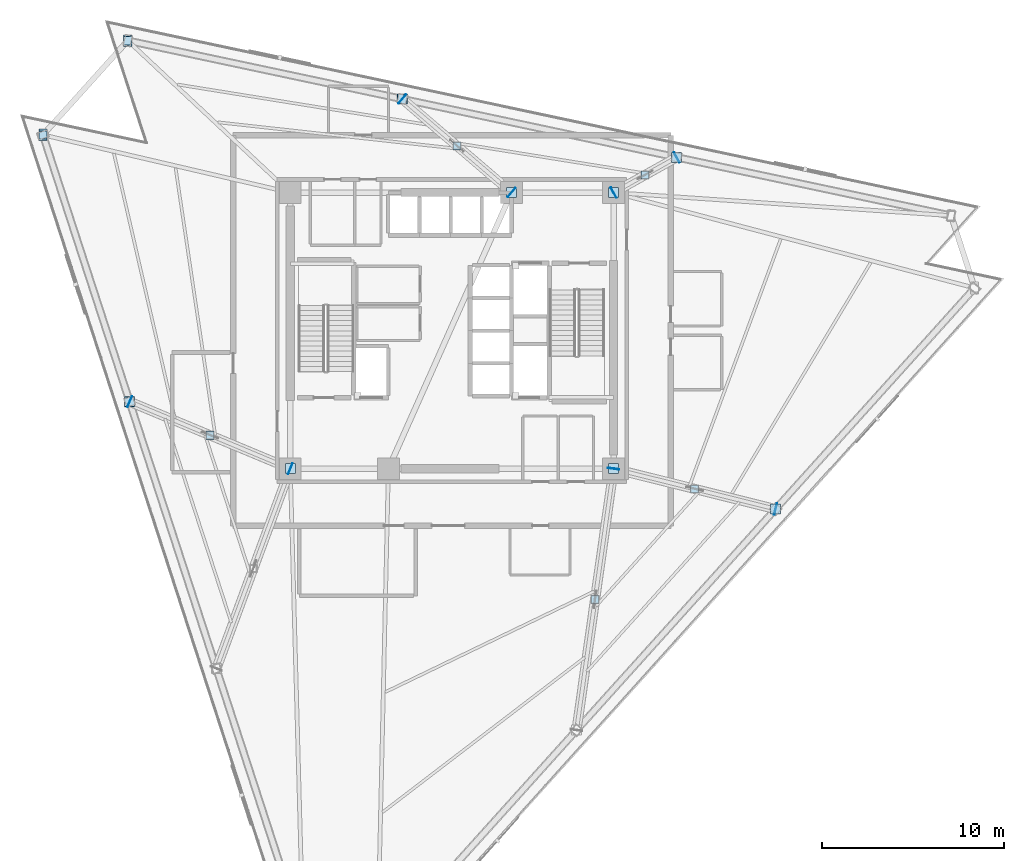
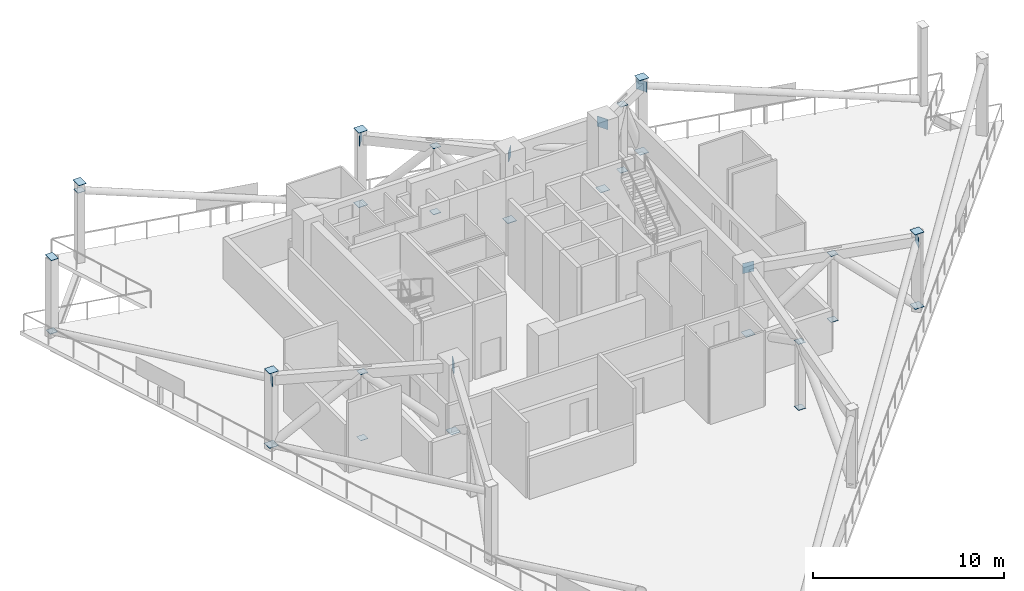
# One storey, part 6 of 15: 34 plates.
"""IFC4 building model written with IfcOpenShell, lengths in metres."""

from ifc_helpers import new_model, si_unit, direction, frame, origin, origin_2d, place, context, subcontext, project, spatial, rectangle, extrude, material, layer, layer_set, type_object, element, save


model = new_model("IFC4")

# Units and contexts
model_context = context("Model", 3, precision=1e-05, world=origin(), true_north=direction((0.0, 1.0)))
body_context = subcontext(model_context, "Body", "Model", "MODEL_VIEW")
ifc_project = project(units=[si_unit("LENGTHUNIT", "METRE"), si_unit("AREAUNIT", "SQUARE_METRE"), si_unit("VOLUMEUNIT", "CUBIC_METRE"), si_unit("PLANEANGLEUNIT", "RADIAN"), si_unit("MASSUNIT", "GRAM", prefix="KILO")], contexts=[model_context])

# Site, building, storey
site_placement = place(None, origin())
site = spatial("IfcSite", under=ifc_project, at=site_placement, CompositionType="ELEMENT")
building_placement = place(site_placement, origin())
building = spatial("IfcBuilding", under=site, at=building_placement, Name="Tharavind Bronze Gate", CompositionType="ELEMENT")
storey_placement = place(building_placement, frame((0.0, 0.0, 222.050048828125)))
storey = spatial("IfcBuildingStorey", under=building, at=storey_placement, Name="L57", CompositionType="ELEMENT", Elevation=222.050048828125)

# Plates
ifc_material_1 = material(Name="Steel S460", Category="steel")
ifc_layer_1 = layer(ifc_material_1, 0.02490234375)
ifc_layer_set_1 = layer_set([ifc_layer_1], Name="Steel S460")
plate_type_1 = type_object("IfcPlateType", Name="STEEL END CAP SHEET 25", PredefinedType="SHEET", material=ifc_layer_set_1)
plate_1_placement = place(storey_placement, frame((-22.515380859375, 10.77685546875, 4.987548828125), z_axis=(0.0, 0.0, 1.0), x_axis=(1.0, 0.0, 0.0)))
element("IfcPlate", 1, at=plate_1_placement, inside=storey, type_object=plate_type_1, Name="Steel end cap plate CAP-COLT-L57-S1C1", PredefinedType="SHEET", context=body_context, shape_type="SweptSolid", body=[
    extrude(rectangle(XDim=0.445068359375, YDim=0.64501953125, at=origin_2d()), origin(), (0.0, 0.0, 1.0), 0.02490234375),
])
for number, where, z_axis, x_axis, name in (
    (2, (-17.74267578125, -3.91259765625, 4.987548828125), (0.0, 0.0, 1.0), (1.0, 0.0, 0.0), "Steel end cap plate CAP-COLT-L57-S1C2"),
    (3, (17.815185546875, -9.82275390625, 4.987548828125), (0.0, 0.0, 1.0), (1.0, 0.0, 0.0), "Steel end cap plate CAP-COLT-L57-S2C3"),
    (4, (12.370849609375, 9.54150390625, 4.987548828125), (0.0, 0.0, 1.0), (1.0, 0.0, 0.0), "Steel end cap plate CAP-COLT-L57-S3C2"),
    (5, (-2.737060546875, 12.752685546875, 4.987548828125), (0.0, 0.0, 1.0), (1.0, 0.0, 0.0), "Steel end cap plate CAP-COLT-L57-S3C3"),
):
    element("IfcPlate", number, at=place(storey_placement, frame(where, z_axis=z_axis, x_axis=x_axis)), inside=storey, type_object=plate_type_1, Name=name, PredefinedType="SHEET", context=body_context, shape_type="SweptSolid", body=[
        extrude(rectangle(XDim=0.544921875, YDim=0.544921875, at=origin_2d()), origin(), (0.0, 0.0, 1.0), 0.02490234375),
    ])
plate_2_placement = place(storey_placement, frame((-17.844970703125, 15.9638671875, 4.987548828125), z_axis=(0.0, 0.0, 1.0), x_axis=(1.0, 0.0, 0.0)))
element("IfcPlate", 6, at=plate_2_placement, inside=storey, type_object=plate_type_1, Name="Steel end cap plate CAP-COLT-L57-S3C4", PredefinedType="SHEET", context=body_context, shape_type="SweptSolid", body=[
    extrude(rectangle(XDim=0.445068359375, YDim=0.64501953125, at=origin_2d()), origin(), (0.0, 0.0, 1.0), 0.02490234375),
])
for number, where, z_axis, x_axis, name in (
    (7, (-8.89990234375, -7.60009765625, 4.137451171875), (0.0, 0.0, 1.0), (-0.922966559807, 0.384880149499, 0.0), "Steel end cap plate CAP-L57-OCH1A"),
    (8, (-17.74267578125, -3.91259765625, 4.137451171875), (0.0, 0.0, 1.0), (-0.922966559807, 0.384880149499, 0.0), "Steel end cap plate CAP-L57-OCH1B"),
):
    element("IfcPlate", number, at=place(storey_placement, frame(where, z_axis=z_axis, x_axis=x_axis)), inside=storey, type_object=plate_type_1, Name=name, PredefinedType="SHEET", context=body_context, shape_type="SweptSolid", body=[
        extrude(rectangle(XDim=0.0400390625, YDim=0.64501953125, at=origin_2d()), origin(), (0.0, 0.0, 1.0), 0.64501953125),
    ])
for number, where, z_axis, x_axis, name in (
    (9, (-8.89990234375, -7.60009765625, 0.237548828125), (0.0, 0.0, 1.0), (1.0, 0.0, 0.0), "Steel end cap plate CAP-L57-OBR1-1A"),
    (10, (-17.74267578125, -3.91259765625, 0.237548828125), (0.0, 0.0, 1.0), (1.0, 0.0, 0.0), "Steel end cap plate CAP-L57-OBR1-2B"),
):
    element("IfcPlate", number, at=place(storey_placement, frame(where, z_axis=z_axis, x_axis=x_axis)), inside=storey, type_object=plate_type_1, Name=name, PredefinedType="SHEET", context=body_context, shape_type="SweptSolid", body=[
        extrude(rectangle(XDim=0.552978515625, YDim=0.552978515625, at=origin_2d()), origin(), (0.0, 0.0, 1.0), 0.02490234375),
    ])
plate_3_placement = place(storey_placement, frame((8.89990234375, -7.60009765625, 4.137451171875), z_axis=(0.0, 0.0, 1.0), x_axis=(0.140519351753, 0.990077932176, 0.0)))
element("IfcPlate", 11, at=plate_3_placement, inside=storey, type_object=plate_type_1, Name="Steel end cap plate CAP-L57-OCH3A", PredefinedType="SHEET", context=body_context, shape_type="SweptSolid", body=[
    extrude(rectangle(XDim=0.0400390625, YDim=0.64501953125, at=origin_2d()), origin(), (0.0, 0.0, 1.0), 0.64501953125),
])
plate_4_placement = place(storey_placement, frame((8.89990234375, -7.60009765625, 0.237548828125), z_axis=(0.0, 0.0, 1.0), x_axis=(1.0, 0.0, 0.0)))
element("IfcPlate", 12, at=plate_4_placement, inside=storey, type_object=plate_type_1, Name="Steel end cap plate CAP-L57-OBR3-1A", PredefinedType="SHEET", context=body_context, shape_type="SweptSolid", body=[
    extrude(rectangle(XDim=0.552978515625, YDim=0.552978515625, at=origin_2d()), origin(), (0.0, 0.0, 1.0), 0.02490234375),
])
plate_5_placement = place(storey_placement, frame((17.815185546875, -9.82275390625, 4.137451171875), z_axis=(0.0, 0.0, 1.0), x_axis=(-0.970297837406, 0.241913428163, 0.0)))
element("IfcPlate", 13, at=plate_5_placement, inside=storey, type_object=plate_type_1, Name="Steel end cap plate CAP-L57-OCH4B", PredefinedType="SHEET", context=body_context, shape_type="SweptSolid", body=[
    extrude(rectangle(XDim=0.0400390625, YDim=0.64501953125, at=origin_2d()), origin(), (0.0, 0.0, 1.0), 0.64501953125),
])
plate_6_placement = place(storey_placement, frame((17.815185546875, -9.82275390625, 0.237548828125), z_axis=(0.0, 0.0, 1.0), x_axis=(1.0, 0.0, 0.0)))
element("IfcPlate", 14, at=plate_6_placement, inside=storey, type_object=plate_type_1, Name="Steel end cap plate CAP-L57-OBR4-2B", PredefinedType="SHEET", context=body_context, shape_type="SweptSolid", body=[
    extrude(rectangle(XDim=0.552978515625, YDim=0.552978515625, at=origin_2d()), origin(), (0.0, 0.0, 1.0), 0.02490234375),
])
for number, where, z_axis, x_axis, name in (
    (15, (8.89990234375, 7.60009765625, 4.137451171875), (0.0, 0.0, 1.0), (0.872746616852, 0.488173476106, 0.0), "Steel end cap plate CAP-L57-OCH5A"),
    (16, (12.370849609375, 9.54150390625, 4.137451171875), (0.0, 0.0, 1.0), (0.872746616852, 0.488173476106, 0.0), "Steel end cap plate CAP-L57-OCH5B"),
):
    element("IfcPlate", number, at=place(storey_placement, frame(where, z_axis=z_axis, x_axis=x_axis)), inside=storey, type_object=plate_type_1, Name=name, PredefinedType="SHEET", context=body_context, shape_type="SweptSolid", body=[
        extrude(rectangle(XDim=0.0400390625, YDim=0.64501953125, at=origin_2d()), origin(), (0.0, 0.0, 1.0), 0.64501953125),
    ])
for number, where, z_axis, x_axis, name in (
    (17, (8.89990234375, 7.60009765625, 0.237548828125), (0.0, 0.0, 1.0), (1.0, 0.0, 0.0), "Steel end cap plate CAP-L57-OBR5-1A"),
    (18, (12.370849609375, 9.54150390625, 0.237548828125), (0.0, 0.0, 1.0), (1.0, 0.0, 0.0), "Steel end cap plate CAP-L57-OBR5-2B"),
):
    element("IfcPlate", number, at=place(storey_placement, frame(where, z_axis=z_axis, x_axis=x_axis)), inside=storey, type_object=plate_type_1, Name=name, PredefinedType="SHEET", context=body_context, shape_type="SweptSolid", body=[
        extrude(rectangle(XDim=0.552978515625, YDim=0.552978515625, at=origin_2d()), origin(), (0.0, 0.0, 1.0), 0.02490234375),
    ])
for number, where, z_axis, x_axis, name in (
    (19, (3.280029296875, 7.60009765625, 4.137451171875), (0.0, 0.0, 1.0), (-0.75956313547, 0.650433580956, 0.0), "Steel end cap plate CAP-L57-OCH6A"),
    (20, (-2.737060546875, 12.752685546875, 4.137451171875), (0.0, 0.0, 1.0), (-0.75956313547, 0.650433580956, 0.0), "Steel end cap plate CAP-L57-OCH6B"),
):
    element("IfcPlate", number, at=place(storey_placement, frame(where, z_axis=z_axis, x_axis=x_axis)), inside=storey, type_object=plate_type_1, Name=name, PredefinedType="SHEET", context=body_context, shape_type="SweptSolid", body=[
        extrude(rectangle(XDim=0.0400390625, YDim=0.64501953125, at=origin_2d()), origin(), (0.0, 0.0, 1.0), 0.64501953125),
    ])
for number, where, z_axis, x_axis, name in (
    (21, (3.280029296875, 7.60009765625, 0.237548828125), (0.0, 0.0, 1.0), (1.0, 0.0, 0.0), "Steel end cap plate CAP-L57-OBR6-1A"),
    (22, (-2.737060546875, 12.752685546875, 0.237548828125), (0.0, 0.0, 1.0), (1.0, 0.0, 0.0), "Steel end cap plate CAP-L57-OBR6-2B"),
):
    element("IfcPlate", number, at=place(storey_placement, frame(where, z_axis=z_axis, x_axis=x_axis)), inside=storey, type_object=plate_type_1, Name=name, PredefinedType="SHEET", context=body_context, shape_type="SweptSolid", body=[
        extrude(rectangle(XDim=0.552978515625, YDim=0.552978515625, at=origin_2d()), origin(), (0.0, 0.0, 1.0), 0.02490234375),
    ])
ifc_material_2 = material(Name="Steel S355", Category="steel")
ifc_layer_2 = layer(ifc_material_2, 0.02490234375)
ifc_layer_set_2 = layer_set([ifc_layer_2], Name="Steel S355")
plate_type_2 = type_object("IfcPlateType", Name="STEEL END CAP SHEET S355 25", PredefinedType="SHEET", material=ifc_layer_set_2)
for number, where, z_axis, x_axis, name in (
    (23, (-13.3212890625, -5.75634765625, 0.237548828125), (0.0, 0.0, 1.0), (1.0, 0.0, 0.0), "Steel end cap plate CAP-L57-OST1A"),
    (24, (-13.3212890625, -5.75634765625, 4.447509765625), (0.0, 0.0, 1.0), (1.0, 0.0, 0.0), "Steel end cap plate CAP-L57-OST1B"),
    (25, (7.878662109375, -14.79638671875, 0.237548828125), (0.0, 0.0, 1.0), (1.0, 0.0, 0.0), "Steel end cap plate CAP-L57-OST3A"),
    (26, (7.878662109375, -14.79638671875, 4.447509765625), (0.0, 0.0, 1.0), (1.0, 0.0, 0.0), "Steel end cap plate CAP-L57-OST3B"),
    (27, (13.357421875, -8.711181640625, 0.237548828125), (0.0, 0.0, 1.0), (1.0, 0.0, 0.0), "Steel end cap plate CAP-L57-OST4A"),
    (28, (13.357421875, -8.711181640625, 4.447509765625), (0.0, 0.0, 1.0), (1.0, 0.0, 0.0), "Steel end cap plate CAP-L57-OST4B"),
    (29, (10.635498046875, 8.57080078125, 0.237548828125), (0.0, 0.0, 1.0), (1.0, 0.0, 0.0), "Steel end cap plate CAP-L57-OST5A"),
    (30, (10.635498046875, 8.57080078125, 4.447509765625), (0.0, 0.0, 1.0), (1.0, 0.0, 0.0), "Steel end cap plate CAP-L57-OST5B"),
    (31, (0.271484375, 10.17626953125, 0.237548828125), (0.0, 0.0, 1.0), (1.0, 0.0, 0.0), "Steel end cap plate CAP-L57-OST6A"),
    (32, (0.271484375, 10.17626953125, 4.447509765625), (0.0, 0.0, 1.0), (1.0, 0.0, 0.0), "Steel end cap plate CAP-L57-OST6B"),
):
    element("IfcPlate", number, at=place(storey_placement, frame(where, z_axis=z_axis, x_axis=x_axis)), inside=storey, type_object=plate_type_2, Name=name, PredefinedType="SHEET", context=body_context, shape_type="SweptSolid", body=[
        extrude(rectangle(XDim=0.445068359375, YDim=0.445068359375, at=origin_2d()), origin(), (0.0, 0.0, 1.0), 0.02490234375),
    ])
for number, where, z_axis, x_axis, name in (
    (33, (-22.515380859375, 10.77685546875, 0.237548828125), (0.0, 0.0, 1.0), (1.0, 0.0, 0.0), "Steel end cap plate CAP-L57-BLT1-1A"),
    (34, (-17.844970703125, 15.9638671875, 4.447509765625), (0.0, 0.0, 1.0), (1.0, 0.0, 0.0), "Steel end cap plate CAP-L57-BLT3-3B"),
):
    element("IfcPlate", number, at=place(storey_placement, frame(where, z_axis=z_axis, x_axis=x_axis)), inside=storey, type_object=plate_type_2, Name=name, PredefinedType="SHEET", context=body_context, shape_type="SweptSolid", body=[
        extrude(rectangle(XDim=0.451416015625, YDim=0.451416015625, at=origin_2d()), origin(), (0.0, 0.0, 1.0), 0.02490234375),
    ])

save(model, "model.ifc")
